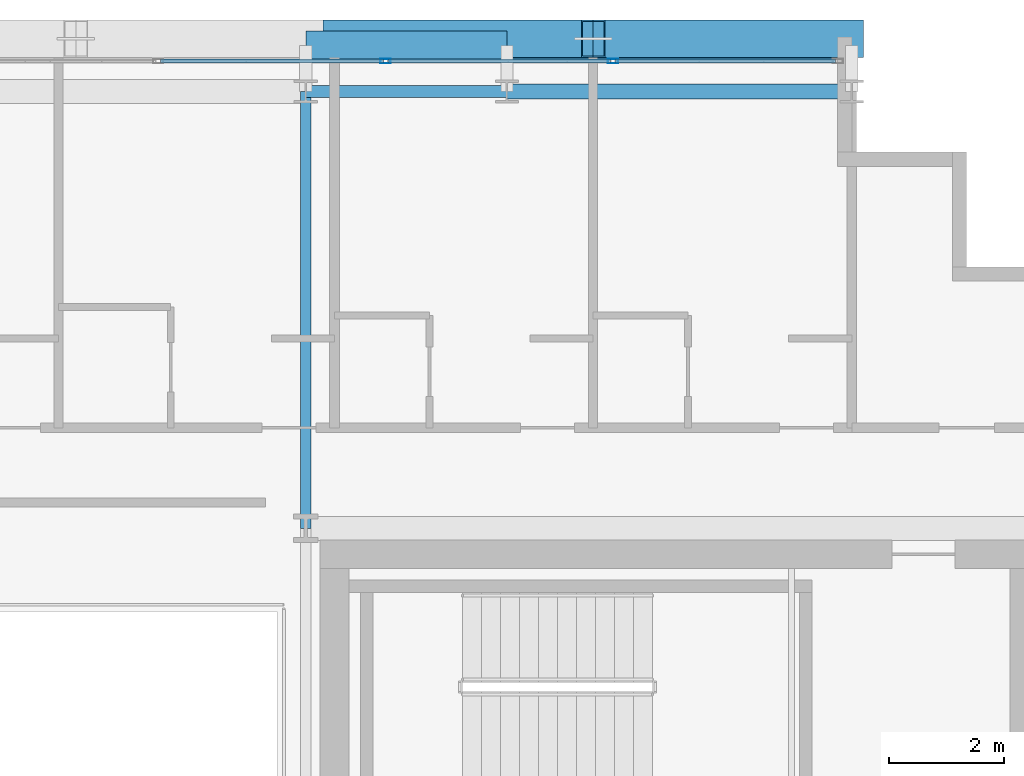
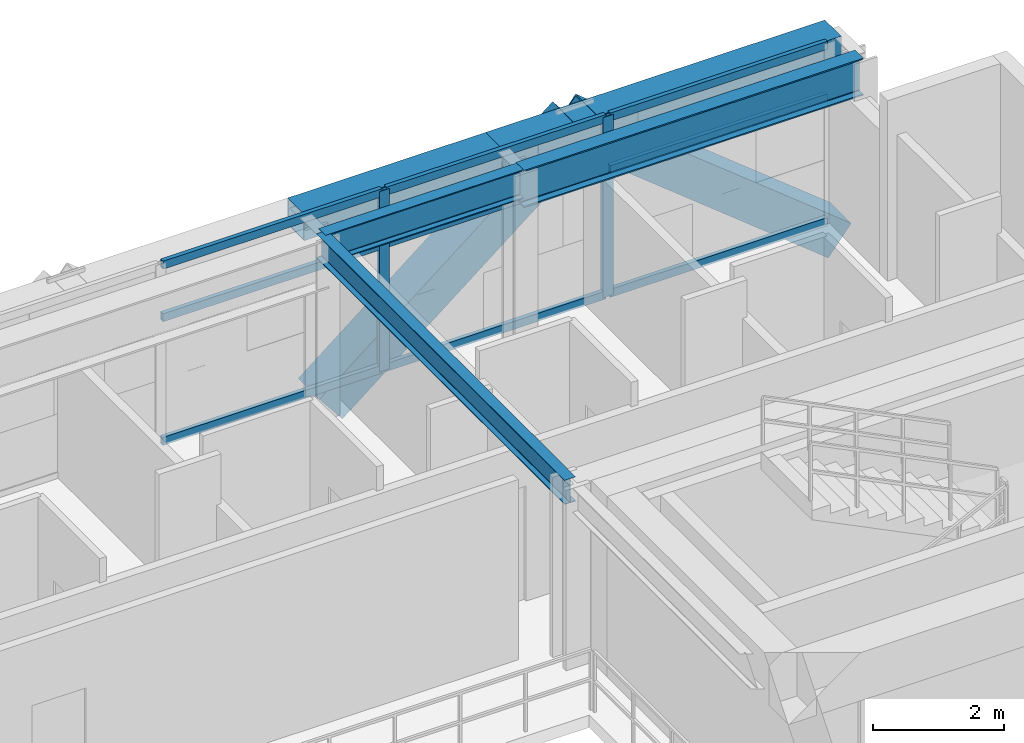
# One storey, part 18 of 32: 13 members, 5 beams, 1 element without a shape of its own.
"""IFC4 building model written with IfcOpenShell, lengths in metres."""

from ifc_helpers import new_model, si_unit, direction, frame, origin, origin_2d, place, context, subcontext, project, spatial, hollow_rectangle, i_section, extrude, source, transform, mapped, material, layer, layer_set, material_profile, profile_set, type_object, element, aggregate, save


model = new_model("IFC4")

# Units and contexts
model_context = context("Model", 3, precision=1e-05, world=origin(), true_north=direction((0.0, 1.0)))
body_context = subcontext(model_context, "Body", "Model", "MODEL_VIEW")
ifc_project = project(units=[si_unit("LENGTHUNIT", "METRE"), si_unit("AREAUNIT", "SQUARE_METRE"), si_unit("VOLUMEUNIT", "CUBIC_METRE"), si_unit("PLANEANGLEUNIT", "RADIAN"), si_unit("MASSUNIT", "GRAM", prefix="KILO")], contexts=[model_context])

# Site, building, storey
site_placement = place(None, origin())
site = spatial("IfcSite", under=ifc_project, at=site_placement, CompositionType="ELEMENT")
building_placement = place(site_placement, origin())
building = spatial("IfcBuilding", under=site, at=building_placement, Name="Ocotamira Hotel", CompositionType="ELEMENT")
storey_placement = place(building_placement, frame((0.0, 0.0, 166.800048828125)))
storey = spatial("IfcBuildingStorey", under=building, at=storey_placement, Name="L41", CompositionType="ELEMENT", Elevation=166.800048828125)

# Beams
ifc_material_1 = material(Name="Steel ASTM A992 Grade 50", Category="steel")
ifc_material_profile_1 = material_profile(ifc_material_1, i_section(OverallWidth=0.256103515625, OverallDepth=0.693115234375, WebThickness=0.014404296875, FlangeThickness=0.023681640625, FilletRadius=0.01611328125, at=origin_2d()), Name="W27X114")
ifc_profile_set_1 = profile_set([ifc_material_profile_1], Name="Steel ASTM A992 Grade 50")
beam_type_1 = type_object("IfcBeamType", Name="BM-PRIM-W27X114", PredefinedType="BEAM", material=ifc_profile_set_1)
shared_shape_1 = source(origin(), body_context, "Body", "SweptSolid", [
    extrude(i_section(OverallWidth=0.256103515625, OverallDepth=0.693115234375, WebThickness=0.014404296875, FlangeThickness=0.023681640625, FilletRadius=0.01611328125, at=origin_2d()), origin(), (0.0, 0.0, 1.0), 6.0),
])
beam_1_placement = place(storey_placement, frame((44.0, 45.050048828125, 3.0234375), z_axis=(1.0, 0.0, 0.0), x_axis=(0.0, 1.0, 0.0)))
element("IfcBeam", 1, at=beam_1_placement, inside=storey, type_object=beam_type_1, Name="L41 Girder Y45.05 X44-50", PredefinedType="BEAM", context=body_context, shape_type="MappedRepresentation", body=[
    mapped(shared_shape_1, transform((0.0, 0.0, 0.0), scale=1.0)),
])
ifc_material_profile_2 = material_profile(ifc_material_1, i_section(OverallWidth=0.2099609375, OverallDepth=0.537109375, WebThickness=0.010986328125, FlangeThickness=0.017333984375, FilletRadius=0.012939453125, at=origin_2d()), Name="W21X68")
ifc_profile_set_2 = profile_set([ifc_material_profile_2], Name="Steel ASTM A992 Grade 50")
beam_type_2 = type_object("IfcBeamType", Name="BM-SEC-W21X68", PredefinedType="JOIST", material=ifc_profile_set_2)
shared_shape_2 = source(origin(), body_context, "Body", "SweptSolid", [
    extrude(i_section(OverallWidth=0.2099609375, OverallDepth=0.537109375, WebThickness=0.010986328125, FlangeThickness=0.017333984375, FilletRadius=0.012939453125, at=origin_2d()), origin(), (0.0, 0.0, 1.0), 3.5),
])
beam_2_placement = place(storey_placement, frame((40.5, 45.050048828125, 3.1015625), z_axis=(1.0, 0.0, 0.0), x_axis=(0.0, 1.0, 0.0)))
element("IfcBeam", 2, at=beam_2_placement, inside=storey, type_object=beam_type_2, Name="L41 Girder Y45.05 X40.5-44", PredefinedType="JOIST", context=body_context, shape_type="MappedRepresentation", body=[
    mapped(shared_shape_2, transform((0.0, 0.0, 0.0), scale=1.0)),
])
ifc_material_2 = material(Name="Steel ASTM A500 Grade C", Category="steel")
ifc_material_profile_3 = material_profile(ifc_material_2, hollow_rectangle(XDim=0.5, YDim=0.5, WallThickness=0.02001953125, at=origin_2d()), Name="HSS500X500X20")
ifc_profile_set_3 = profile_set([ifc_material_profile_3], Name="Steel ASTM A500 Grade C")
beam_type_3 = type_object("IfcBeamType", Name="BM-SPAN-HSS500", PredefinedType="USERDEFINED", material=ifc_profile_set_3)
shared_shape_3 = source(origin(), body_context, "Body", "SweptSolid", [
    extrude(hollow_rectangle(XDim=0.5, YDim=0.5, WallThickness=0.02001953125, at=origin_2d()), origin(), (0.0, 0.0, 1.0), 6.0),
])
beam_3_placement = place(storey_placement, frame((44.0, 45.85009765625, 3.119873046875), z_axis=(1.0, 0.0, 0.0), x_axis=(0.0, 1.0, 0.0)))
element("IfcBeam", 3, at=beam_3_placement, inside=storey, type_object=beam_type_3, Name="L41 Edge Spandrel N X44-50", ObjectType="SPANDREL", PredefinedType="USERDEFINED", context=body_context, shape_type="MappedRepresentation", body=[
    mapped(shared_shape_3, transform((0.0, 0.0, 0.0), scale=1.0)),
])
shared_shape_4 = source(origin(), body_context, "Body", "SweptSolid", [
    extrude(hollow_rectangle(XDim=0.5, YDim=0.5, WallThickness=0.02001953125, at=origin_2d()), origin(), (0.0, 0.0, 1.0), 3.5),
])
beam_4_placement = place(storey_placement, frame((40.5, 45.85009765625, 3.119873046875), z_axis=(1.0, 0.0, 0.0), x_axis=(0.0, 1.0, 0.0)))
element("IfcBeam", 4, at=beam_4_placement, inside=storey, type_object=beam_type_3, Name="L41 Edge Spandrel N X40.5-44", ObjectType="SPANDREL", PredefinedType="USERDEFINED", context=body_context, shape_type="MappedRepresentation", body=[
    mapped(shared_shape_4, transform((0.0, 0.0, 0.0), scale=1.0)),
])
ifc_material_profile_4 = material_profile(ifc_material_1, i_section(OverallWidth=0.18994140625, OverallDepth=0.45703125, WebThickness=0.009033203125, FlangeThickness=0.014404296875, FilletRadius=0.010009765625, at=origin_2d()), Name="W18X50")
ifc_profile_set_4 = profile_set([ifc_material_profile_4], Name="Steel ASTM A992 Grade 50")
beam_type_4 = type_object("IfcBeamType", Name="BM-SEC-W18X50", PredefinedType="JOIST", material=ifc_profile_set_4)
shared_shape_5 = source(origin(), body_context, "Body", "SweptSolid", [
    extrude(i_section(OverallWidth=0.18994140625, OverallDepth=0.45703125, WebThickness=0.009033203125, FlangeThickness=0.014404296875, FilletRadius=0.010009765625, at=origin_2d()), origin(), (0.0, 0.0, 1.0), 7.60009765625),
])
beam_5_placement = place(storey_placement, frame((40.5, 37.449951171875, 3.141357421875), z_axis=(0.0, 1.0, 0.0), x_axis=(-1.0, 0.0, 0.0)))
element("IfcBeam", 5, at=beam_5_placement, inside=storey, type_object=beam_type_4, Name="L41 Beam X40.5 Y37.45-45.05", PredefinedType="JOIST", context=body_context, shape_type="MappedRepresentation", body=[
    mapped(shared_shape_5, transform((0.0, 0.0, 0.0), scale=1.0)),
])

# Members
ifc_material_3 = material(Name="Pale-metal coated steel ASTM A913 Grade 65", Category="steel")
ifc_material_profile_5 = material_profile(ifc_material_3, hollow_rectangle(XDim=0.64990234375, YDim=0.64990234375, WallThickness=0.02197265625, at=origin_2d()), Name="BOX650X650X22")
ifc_profile_set_5 = profile_set([ifc_material_profile_5], Name="Pale-metal coated steel ASTM A913 Grade 65")
member_type_1 = type_object("IfcMemberType", Name="MEM-EXO-BOX650", PredefinedType="BRACE", material=ifc_profile_set_5)
shared_shape_6 = source(origin(), body_context, "Body", "SweptSolid", [
    extrude(hollow_rectangle(XDim=0.64990234375, YDim=0.64990234375, WallThickness=0.02197265625, at=origin_2d()), origin(), (0.0, 0.0, 1.0), 5.7626953125),
])
for number, where, z_axis, x_axis, name in (
    (6, (41.0, 45.969970703125, -0.47998046875), (0.780881208953, 0.0, 0.624679547852), (0.0, 1.0, 0.0), "L41 Exoskeleton Diagrid N3.1"),
    (7, (50.0, 45.969970703125, -0.47998046875), (-0.780881208953, 0.0, 0.624679547852), (0.0, -1.0, 0.0), "L41 Exoskeleton Diagrid N3.2"),
):
    element("IfcMember", number, at=place(storey_placement, frame(where, z_axis=z_axis, x_axis=x_axis)), inside=storey, type_object=member_type_1, Name=name, PredefinedType="BRACE", context=body_context, shape_type="MappedRepresentation", body=[
        mapped(shared_shape_6, transform((0.0, 0.0, 0.0), scale=1.0)),
    ])

# Curtain wall, members
ifc_material_4 = material(Name="Anodised pale-metal aluminium and solar glass", Category="aluminium")
ifc_layer = layer(ifc_material_4, 0.199951171875)
ifc_layer_set = layer_set([ifc_layer], Name="Anodised pale-metal aluminium and solar glass")
curtain_wall_type = type_object("IfcCurtainWallType", Name="CW-SYS4-Z3", PredefinedType="NOTDEFINED", material=ifc_layer_set)
curtain_wall_placement = place(storey_placement, origin())
curtain_wall = element("IfcCurtainWall", 8, at=curtain_wall_placement, inside=storey, type_object=curtain_wall_type, Name="L41 Curtain Wall CW-4 CW-L41-N", PredefinedType="NOTDEFINED")
ifc_material_5 = material(Name="Anodised pale-metal aluminium 6063-T6", Category="aluminium")
ifc_material_profile_6 = material_profile(ifc_material_5, hollow_rectangle(XDim=0.074951171875, YDim=0.14990234375, WallThickness=0.006103515625, at=origin_2d()), Name="HSS150X75X6")
ifc_profile_set_6 = profile_set([ifc_material_profile_6], Name="Anodised pale-metal aluminium 6063-T6")
member_type_2 = type_object("IfcMemberType", Name="CWT-150X75", PredefinedType="USERDEFINED", material=ifc_profile_set_6)
shared_shape_7 = source(origin(), body_context, "Body", "SweptSolid", [
    extrude(hollow_rectangle(XDim=0.074951171875, YDim=0.14990234375, WallThickness=0.006103515625, at=origin_2d()), origin(), (0.0, 0.0, 1.0), 3.83544921875),
])
member_1_placement = place(storey_placement, frame((45.884521484375, 45.580078125, 0.037353515625), z_axis=(1.0, 0.0, 0.0), x_axis=(0.0, 1.0, 0.0)))
member_1 = element("IfcMember", 9, at=member_1_placement, type_object=member_type_2, Name="CW-4 transom 9.1", ObjectType="TRANSOM", PredefinedType="USERDEFINED", context=body_context, shape_type="MappedRepresentation", body=[
    mapped(shared_shape_7, transform((0.0, 0.0, 0.0), scale=1.0)),
])
member_2_placement = place(storey_placement, frame((45.884521484375, 45.580078125, 2.349853515625), z_axis=(1.0, 0.0, 0.0), x_axis=(0.0, 1.0, 0.0)))
member_2 = element("IfcMember", 10, at=member_2_placement, type_object=member_type_2, Name="CW-4 transom 9.2", ObjectType="TRANSOM", PredefinedType="USERDEFINED", context=body_context, shape_type="MappedRepresentation", body=[
    mapped(shared_shape_7, transform((0.0, 0.0, 0.0), scale=1.0)),
])
member_3_placement = place(storey_placement, frame((45.884521484375, 45.580078125, 3.33251953125), z_axis=(1.0, 0.0, 0.0), x_axis=(0.0, 1.0, 0.0)))
member_3 = element("IfcMember", 11, at=member_3_placement, type_object=member_type_2, Name="CW-4 transom 9.3", ObjectType="TRANSOM", PredefinedType="USERDEFINED", context=body_context, shape_type="MappedRepresentation", body=[
    mapped(shared_shape_7, transform((0.0, 0.0, 0.0), scale=1.0)),
])
shared_shape_8 = source(origin(), body_context, "Body", "SweptSolid", [
    extrude(hollow_rectangle(XDim=0.074951171875, YDim=0.14990234375, WallThickness=0.006103515625, at=origin_2d()), origin(), (0.0, 0.0, 1.0), 3.87548828125),
])
member_4_placement = place(storey_placement, frame((37.973388671875, 45.580078125, 0.037353515625), z_axis=(1.0, 0.0, 0.0), x_axis=(0.0, 1.0, 0.0)))
member_4 = element("IfcMember", 12, at=member_4_placement, type_object=member_type_2, Name="CW-4 transom 7.1", ObjectType="TRANSOM", PredefinedType="USERDEFINED", context=body_context, shape_type="MappedRepresentation", body=[
    mapped(shared_shape_8, transform((0.0, 0.0, 0.0), scale=1.0)),
])
member_5_placement = place(storey_placement, frame((37.973388671875, 45.580078125, 2.349853515625), z_axis=(1.0, 0.0, 0.0), x_axis=(0.0, 1.0, 0.0)))
member_5 = element("IfcMember", 13, at=member_5_placement, type_object=member_type_2, Name="CW-4 transom 7.2", ObjectType="TRANSOM", PredefinedType="USERDEFINED", context=body_context, shape_type="MappedRepresentation", body=[
    mapped(shared_shape_8, transform((0.0, 0.0, 0.0), scale=1.0)),
])
member_6_placement = place(storey_placement, frame((37.973388671875, 45.580078125, 3.33251953125), z_axis=(1.0, 0.0, 0.0), x_axis=(0.0, 1.0, 0.0)))
member_6 = element("IfcMember", 14, at=member_6_placement, type_object=member_type_2, Name="CW-4 transom 7.3", ObjectType="TRANSOM", PredefinedType="USERDEFINED", context=body_context, shape_type="MappedRepresentation", body=[
    mapped(shared_shape_8, transform((0.0, 0.0, 0.0), scale=1.0)),
])
member_7_placement = place(storey_placement, frame((41.928955078125, 45.580078125, 0.037353515625), z_axis=(1.0, 0.0, 0.0), x_axis=(0.0, 1.0, 0.0)))
member_7 = element("IfcMember", 15, at=member_7_placement, type_object=member_type_2, Name="CW-4 transom 8.1", ObjectType="TRANSOM", PredefinedType="USERDEFINED", context=body_context, shape_type="MappedRepresentation", body=[
    mapped(shared_shape_8, transform((0.0, 0.0, 0.0), scale=1.0)),
])
member_8_placement = place(storey_placement, frame((41.928955078125, 45.580078125, 2.349853515625), z_axis=(1.0, 0.0, 0.0), x_axis=(0.0, 1.0, 0.0)))
member_8 = element("IfcMember", 16, at=member_8_placement, type_object=member_type_2, Name="CW-4 transom 8.2", ObjectType="TRANSOM", PredefinedType="USERDEFINED", context=body_context, shape_type="MappedRepresentation", body=[
    mapped(shared_shape_8, transform((0.0, 0.0, 0.0), scale=1.0)),
])
member_9_placement = place(storey_placement, frame((41.928955078125, 45.580078125, 3.33251953125), z_axis=(1.0, 0.0, 0.0), x_axis=(0.0, 1.0, 0.0)))
member_9 = element("IfcMember", 17, at=member_9_placement, type_object=member_type_2, Name="CW-4 transom 8.3", ObjectType="TRANSOM", PredefinedType="USERDEFINED", context=body_context, shape_type="MappedRepresentation", body=[
    mapped(shared_shape_8, transform((0.0, 0.0, 0.0), scale=1.0)),
])
ifc_material_profile_7 = material_profile(ifc_material_5, hollow_rectangle(XDim=0.080078125, YDim=0.179931640625, WallThickness=0.006103515625, at=origin_2d()), Name="HSS180X80X6")
ifc_profile_set_7 = profile_set([ifc_material_profile_7], Name="Anodised pale-metal aluminium 6063-T6")
member_type_3 = type_object("IfcMemberType", Name="CWM-180X75", PredefinedType="MULLION", material=ifc_profile_set_7)
shared_shape_9 = source(origin(), body_context, "Body", "SweptSolid", [
    extrude(hollow_rectangle(XDim=0.080078125, YDim=0.179931640625, WallThickness=0.006103515625, at=origin_2d()), origin(), (0.0, 0.0, 1.0), 3.369873046875),
])
member_10_placement = place(storey_placement, frame((41.888916015625, 45.580078125, 0.0), z_axis=(0.0, 0.0, 1.0), x_axis=(0.0, 1.0, 0.0)))
member_10 = element("IfcMember", 18, at=member_10_placement, type_object=member_type_3, Name="CW-4 mullion 8", PredefinedType="MULLION", context=body_context, shape_type="MappedRepresentation", body=[
    mapped(shared_shape_9, transform((0.0, 0.0, 0.0), scale=1.0)),
])
member_11_placement = place(storey_placement, frame((45.844482421875, 45.580078125, 0.0), z_axis=(0.0, 0.0, 1.0), x_axis=(0.0, 1.0, 0.0)))
member_11 = element("IfcMember", 19, at=member_11_placement, type_object=member_type_3, Name="CW-4 mullion 9", PredefinedType="MULLION", context=body_context, shape_type="MappedRepresentation", body=[
    mapped(shared_shape_9, transform((0.0, 0.0, 0.0), scale=1.0)),
])
aggregate(curtain_wall, [member_10, member_11, member_4, member_5, member_6, member_7, member_8, member_9, member_1, member_2, member_3])

save(model, "model.ifc")
